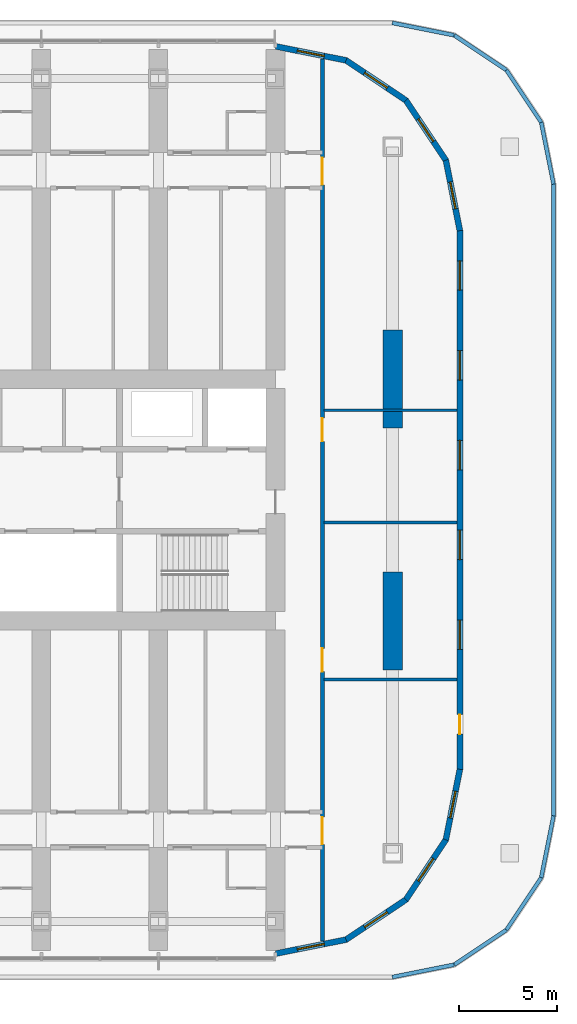
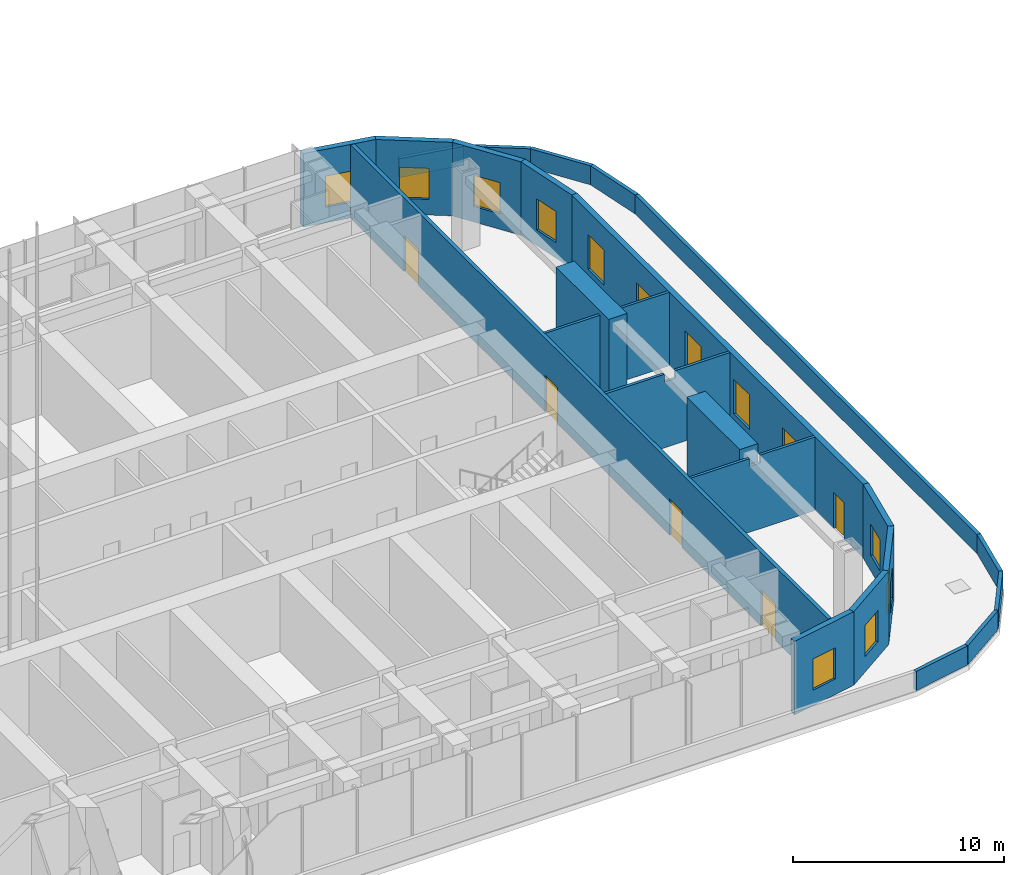
# One storey, part 16 of 31: 24 walls, 13 windows, 5 doors, 18 openings.
"""IFC4 building model written with IfcOpenShell, lengths in metres."""

from ifc_helpers import new_model, si_unit, direction, frame, frame_2d, origin, place, context, subcontext, project, spatial, polyline, rectangle, outline, extrude, material, layer, layer_set, type_object, element, fill, save


model = new_model("IFC4")

# Units and contexts
model_context = context("Model", 3, precision=1e-05, world=origin(), true_north=direction((0.0, 1.0)))
body_context = subcontext(model_context, "Body", "Model", "MODEL_VIEW")
ifc_project = project(units=[si_unit("LENGTHUNIT", "METRE"), si_unit("AREAUNIT", "SQUARE_METRE"), si_unit("VOLUMEUNIT", "CUBIC_METRE"), si_unit("PLANEANGLEUNIT", "RADIAN"), si_unit("MASSUNIT", "GRAM", prefix="KILO")], contexts=[model_context])

# Site, building, storey
site_placement = place(None, origin())
site = spatial("IfcSite", under=ifc_project, at=site_placement, CompositionType="ELEMENT")
building_placement = place(site_placement, origin())
building = spatial("IfcBuilding", under=site, at=building_placement, Name="Orbita Commons", CompositionType="ELEMENT")
storey_placement = place(building_placement, frame((0.0, 0.0, 76.14990234375)))
storey = spatial("IfcBuildingStorey", under=building, at=storey_placement, Name="L18", CompositionType="ELEMENT", Elevation=76.14990234375)

# Wall, openings, doors
ifc_material_1 = material(Name="Concrete blockwork", Category="masonry")
ifc_layer_1 = layer(ifc_material_1, 0.199951171875)
ifc_layer_set_1 = layer_set([ifc_layer_1], Name="Concrete blockwork")
wall_type_1 = type_object("IfcWallType", Name="Corridor wall 200 blockwork", PredefinedType="SOLIDWALL", material=ifc_layer_set_1)
wall_1_placement = place(storey_placement, frame((68.39990234375, 9.4052734375, 0.0), z_axis=(0.0, 0.0, 1.0), x_axis=(0.0, 1.0, 0.0)))
wall_1 = element("IfcWall", 1, at=wall_1_placement, inside=storey, type_object=wall_type_1, Name="Corridor wall 200 blockwork L18", PredefinedType="SOLIDWALL", context=body_context, shape_type="SweptSolid", body=[
    extrude(rectangle(XDim=45.189453125, YDim=0.199951171875, at=frame_2d((22.5947265625, 0.0))), origin(), (0.0, 0.0, 1.0), 4.25),
])
opening_1_placement = place(wall_1_placement, frame((13.794677734375, 0.0, 0.0)))
opening_1 = element("IfcOpeningElement", 2, at=opening_1_placement, cuts=wall_1, Name="Opening D15", PredefinedType="OPENING", context=body_context, shape_type="SweptSolid", body=[
    extrude(rectangle(XDim=1.199951171875, YDim=2.10009765625, at=frame_2d((0.60009765625, 1.050048828125))), frame((0.0, 0.10986328125, 0.0), z_axis=(0.0, -1.0, 0.0), x_axis=(1.0, 0.0, 0.0)), (0.0, 0.0, 1.0), 0.219970703125),
])
opening_2_placement = place(wall_1_placement, frame((25.5947265625, 0.0, 0.0)))
opening_2 = element("IfcOpeningElement", 3, at=opening_2_placement, cuts=wall_1, Name="Opening D15", PredefinedType="OPENING", context=body_context, shape_type="SweptSolid", body=[
    extrude(rectangle(XDim=1.199951171875, YDim=2.10009765625, at=frame_2d((0.60009765625, 1.050048828125))), frame((0.0, 0.10986328125, 0.0), z_axis=(0.0, -1.0, 0.0), x_axis=(1.0, 0.0, 0.0)), (0.0, 0.0, 1.0), 0.219970703125),
])
opening_3_placement = place(wall_1_placement, frame((4.94482421875, 0.0, 0.0)))
opening_3 = element("IfcOpeningElement", 4, at=opening_3_placement, cuts=wall_1, Name="Opening D08", PredefinedType="OPENING", context=body_context, shape_type="SweptSolid", body=[
    extrude(rectangle(XDim=1.39990234375, YDim=2.10009765625, at=frame_2d((0.699951171875, 1.050048828125))), frame((0.0, 0.10986328125, 0.0), z_axis=(0.0, -1.0, 0.0), x_axis=(1.0, 0.0, 0.0)), (0.0, 0.0, 1.0), 0.219970703125),
])
opening_4_placement = place(wall_1_placement, frame((38.74462890625, 0.0, 0.0)))
opening_4 = element("IfcOpeningElement", 5, at=opening_4_placement, cuts=wall_1, Name="Opening D08", PredefinedType="OPENING", context=body_context, shape_type="SweptSolid", body=[
    extrude(rectangle(XDim=1.39990234375, YDim=2.10009765625, at=frame_2d((0.699951171875, 1.050048828125))), frame((0.0, 0.10986328125, 0.0), z_axis=(0.0, -1.0, 0.0), x_axis=(1.0, 0.0, 0.0)), (0.0, 0.0, 1.0), 0.219970703125),
])
ifc_material_2 = material(Name="Steel-faced fire door leaf", Category="steel")
door_type_1 = type_object("IfcDoorType", Name="Corridor door 20 min 1200x2100", OperationType="SINGLE_SWING_LEFT", PredefinedType="DOOR", material=ifc_material_2)
door_1_placement = place(opening_1_placement, origin())
door_1 = element("IfcDoor", 6, at=door_1_placement, inside=storey, type_object=door_type_1, Name="Study hall door", OperationType="SINGLE_SWING_LEFT", OverallHeight=2.10009765625, OverallWidth=1.199951171875, PredefinedType="DOOR", context=body_context, shape_type="SweptSolid", body=[
    extrude(rectangle(XDim=1.199951171875, YDim=2.10009765625, at=frame_2d((0.60009765625, 1.050048828125))), frame((0.0, 0.02490234375, 0.0), z_axis=(0.0, -1.0, 0.0), x_axis=(1.0, 0.0, 0.0)), (0.0, 0.0, 1.0), 0.050048828125),
])
fill(opening_1, door_1)
door_2_placement = place(opening_2_placement, origin())
door_2 = element("IfcDoor", 7, at=door_2_placement, inside=storey, type_object=door_type_1, Name="Study hall door", OperationType="SINGLE_SWING_LEFT", OverallHeight=2.10009765625, OverallWidth=1.199951171875, PredefinedType="DOOR", context=body_context, shape_type="SweptSolid", body=[
    extrude(rectangle(XDim=1.199951171875, YDim=2.10009765625, at=frame_2d((0.60009765625, 1.050048828125))), frame((0.0, 0.02490234375, 0.0), z_axis=(0.0, -1.0, 0.0), x_axis=(1.0, 0.0, 0.0)), (0.0, 0.0, 1.0), 0.050048828125),
])
fill(opening_2, door_2)
ifc_material_3 = material(Name="Steel-faced fire door leaf", Category="steel")
door_type_2 = type_object("IfcDoorType", Name="Double corridor door 20 min 1400x2100", OperationType="DOUBLE_DOOR_SINGLE_SWING", PredefinedType="DOOR", material=ifc_material_3)
door_3_placement = place(opening_3_placement, origin())
door_3 = element("IfcDoor", 8, at=door_3_placement, inside=storey, type_object=door_type_2, Name="Lounge doors", OperationType="DOUBLE_DOOR_SINGLE_SWING", OverallHeight=2.10009765625, OverallWidth=1.39990234375, PredefinedType="DOOR", context=body_context, shape_type="SweptSolid", body=[
    extrude(rectangle(XDim=1.39990234375, YDim=2.10009765625, at=frame_2d((0.699951171875, 1.050048828125))), frame((0.0, 0.02490234375, 0.0), z_axis=(0.0, -1.0, 0.0), x_axis=(1.0, 0.0, 0.0)), (0.0, 0.0, 1.0), 0.050048828125),
])
fill(opening_3, door_3)
door_4_placement = place(opening_4_placement, origin())
door_4 = element("IfcDoor", 9, at=door_4_placement, inside=storey, type_object=door_type_2, Name="Lounge doors", OperationType="DOUBLE_DOOR_SINGLE_SWING", OverallHeight=2.10009765625, OverallWidth=1.39990234375, PredefinedType="DOOR", context=body_context, shape_type="SweptSolid", body=[
    extrude(rectangle(XDim=1.39990234375, YDim=2.10009765625, at=frame_2d((0.699951171875, 1.050048828125))), frame((0.0, 0.02490234375, 0.0), z_axis=(0.0, -1.0, 0.0), x_axis=(1.0, 0.0, 0.0)), (0.0, 0.0, 1.0), 0.050048828125),
])
fill(opening_4, door_4)

# Walls
ifc_material_4 = material(Name="Concrete C50/60", Category="concrete")
ifc_layer_2 = layer(ifc_material_4, 1.0)
ifc_layer_set_2 = layer_set([ifc_layer_2], Name="Concrete C50/60")
wall_type_2 = type_object("IfcWallType", Name="End pier 1000x5000 C50/60", PredefinedType="SHEAR", material=ifc_layer_set_2)
for number, where, z_axis, x_axis, name in (
    (10, (72.0, 23.300048828125, 0.0), (0.0, 0.0, 1.0), (0.0, 1.0, 0.0), "End pier 13/C L18"),
    (11, (72.0, 35.699951171875, 0.0), (0.0, 0.0, 1.0), (0.0, 1.0, 0.0), "End pier 13/D L18"),
):
    element("IfcWall", number, at=place(storey_placement, frame(where, z_axis=z_axis, x_axis=x_axis)), inside=storey, type_object=wall_type_2, Name=name, PredefinedType="SHEAR", context=body_context, shape_type="SweptSolid", body=[
        extrude(rectangle(XDim=5.0, YDim=1.0, at=frame_2d((2.5, 0.0))), origin(), (0.0, 0.0, 1.0), 4.5),
    ])
ifc_material_5 = material(Name="Gypsum plasterboard on steel studs", Category="steel")
ifc_layer_3 = layer(ifc_material_5, 0.14990234375)
ifc_layer_set_3 = layer_set([ifc_layer_3], Name="Gypsum plasterboard on steel studs")
wall_type_3 = type_object("IfcWallType", Name="Partition 150 plasterboard", PredefinedType="PARTITIONING", material=ifc_layer_set_3)
for number, where, z_axis, x_axis, name in (
    (12, (68.47509765625, 30.85009765625, 0.0), (0.0, 0.0, 1.0), (1.0, 0.0, 0.0), "Partition 150 plasterboard L18"),
    (13, (68.47509765625, 22.800048828125, 0.0), (0.0, 0.0, 1.0), (1.0, 0.0, 0.0), "Partition 150 plasterboard L18"),
):
    element("IfcWall", number, at=place(storey_placement, frame(where, z_axis=z_axis, x_axis=x_axis)), inside=storey, type_object=wall_type_3, Name=name, PredefinedType="PARTITIONING", context=body_context, shape_type="SweptSolid", body=[
        extrude(outline(polyline([(0.0, 0.0), (6.81982421875, 0.0), (6.820068359375, 4.25), (3.826904296875, 4.25), (3.824951171875, 3.800048828125), (3.22705078125, 3.800048828125), (3.22509765625, 4.25), (0.0, 4.25), (0.0, 0.0)])), frame((0.0, 0.074951171875, 0.0), z_axis=(0.0, -1.0, 0.0), x_axis=(1.0, 0.0, 0.0)), (0.0, 0.0, 1.0), 0.14990234375),
    ])
wall_2_placement = place(storey_placement, frame((68.47509765625, 36.60009765625, 0.0), z_axis=(0.0, 0.0, 1.0), x_axis=(1.0, 0.0, 0.0)))
element("IfcWall", 14, at=wall_2_placement, inside=storey, type_object=wall_type_3, Name="Partition 150 plasterboard L18", PredefinedType="PARTITIONING", context=body_context, shape_type="SweptSolid", body=[
    extrude(rectangle(XDim=6.81982421875, YDim=0.14990234375, at=frame_2d((3.409912109375, 0.0))), origin(), (0.0, 0.0, 1.0), 4.25),
])

# Wall, openings, windows, door
ifc_material_6 = material(Name="Precast concrete C40/50, white board-marked finish", Category="concrete")
ifc_layer_4 = layer(ifc_material_6, 0.300048828125)
ifc_layer_set_4 = layer_set([ifc_layer_4], Name="Precast concrete C40/50, white board-marked finish")
wall_type_4 = type_object("IfcWallType", Name="Precast concrete end shield 300", PredefinedType="SOLIDWALL", material=ifc_layer_set_4)
wall_3_placement = place(storey_placement, frame((75.449951171875, 18.199951171875, 0.0), z_axis=(0.0, 0.0, 1.0), x_axis=(0.0, 1.0, 0.0)))
wall_3 = element("IfcWall", 15, at=wall_3_placement, inside=storey, type_object=wall_type_4, Name="End shield E L18", PredefinedType="SOLIDWALL", context=body_context, shape_type="SweptSolid", body=[
    extrude(outline(polyline([(-0.014892578125, -0.14990234375), (27.614990234375, -0.14990234375), (27.585205078125, 0.14990234375), (0.014892578125, 0.14990234375), (-0.014892578125, -0.14990234375)])), origin(), (0.0, 0.0, 1.0), 4.25),
])
opening_5_placement = place(wall_3_placement, frame((1.800048828125, 0.0, 0.0)))
opening_5 = element("IfcOpeningElement", 16, at=opening_5_placement, cuts=wall_3, Name="Opening DR1", PredefinedType="OPENING", context=body_context, shape_type="SweptSolid", body=[
    extrude(rectangle(XDim=1.0, YDim=2.10009765625, at=frame_2d((0.5, 1.050048828125))), frame((0.0, 0.159912109375, 0.0), z_axis=(0.0, -1.0, 0.0), x_axis=(1.0, 0.0, 0.0)), (0.0, 0.0, 1.0), 0.320068359375),
])
opening_6_placement = place(wall_3_placement, frame((6.14990234375, 0.0, 0.89990234375)))
opening_6 = element("IfcOpeningElement", 17, at=opening_6_placement, cuts=wall_3, Name="Opening W01", PredefinedType="OPENING", context=body_context, shape_type="SweptSolid", body=[
    extrude(rectangle(XDim=1.5, YDim=2.0, at=frame_2d((0.75, 1.0))), frame((0.0, 0.159912109375, 0.0), z_axis=(0.0, -1.0, 0.0), x_axis=(1.0, 0.0, 0.0)), (0.0, 0.0, 1.0), 0.320068359375),
])
opening_7_placement = place(wall_3_placement, frame((10.75, 0.0, 0.89990234375)))
opening_7 = element("IfcOpeningElement", 18, at=opening_7_placement, cuts=wall_3, Name="Opening W01", PredefinedType="OPENING", context=body_context, shape_type="SweptSolid", body=[
    extrude(rectangle(XDim=1.5, YDim=2.0, at=frame_2d((0.75, 1.0))), frame((0.0, 0.159912109375, 0.0), z_axis=(0.0, -1.0, 0.0), x_axis=(1.0, 0.0, 0.0)), (0.0, 0.0, 1.0), 0.320068359375),
])
opening_8_placement = place(wall_3_placement, frame((15.35009765625, 0.0, 0.89990234375)))
opening_8 = element("IfcOpeningElement", 19, at=opening_8_placement, cuts=wall_3, Name="Opening W01", PredefinedType="OPENING", context=body_context, shape_type="SweptSolid", body=[
    extrude(rectangle(XDim=1.5, YDim=2.0, at=frame_2d((0.75, 1.0))), frame((0.0, 0.159912109375, 0.0), z_axis=(0.0, -1.0, 0.0), x_axis=(1.0, 0.0, 0.0)), (0.0, 0.0, 1.0), 0.320068359375),
])
opening_9_placement = place(wall_3_placement, frame((19.949951171875, 0.0, 0.89990234375)))
opening_9 = element("IfcOpeningElement", 20, at=opening_9_placement, cuts=wall_3, Name="Opening W01", PredefinedType="OPENING", context=body_context, shape_type="SweptSolid", body=[
    extrude(rectangle(XDim=1.5, YDim=2.0, at=frame_2d((0.75, 1.0))), frame((0.0, 0.159912109375, 0.0), z_axis=(0.0, -1.0, 0.0), x_axis=(1.0, 0.0, 0.0)), (0.0, 0.0, 1.0), 0.320068359375),
])
opening_10_placement = place(wall_3_placement, frame((24.550048828125, 0.0, 0.89990234375)))
opening_10 = element("IfcOpeningElement", 21, at=opening_10_placement, cuts=wall_3, Name="Opening W01", PredefinedType="OPENING", context=body_context, shape_type="SweptSolid", body=[
    extrude(rectangle(XDim=1.5, YDim=2.0, at=frame_2d((0.75, 1.0))), frame((0.0, 0.159912109375, 0.0), z_axis=(0.0, -1.0, 0.0), x_axis=(1.0, 0.0, 0.0)), (0.0, 0.0, 1.0), 0.320068359375),
])
ifc_material_7 = material(Name="Aluminium frame, clear double glazing", Category="aluminium")
window_type_1 = type_object("IfcWindowType", Name="Deep-set window 1500x2000", PartitioningType="SINGLE_PANEL", PredefinedType="WINDOW", material=ifc_material_7)
window_1_placement = place(opening_6_placement, origin())
window_1 = element("IfcWindow", 22, at=window_1_placement, inside=storey, type_object=window_type_1, Name="Window L18-E 2", OverallHeight=2.0, OverallWidth=1.5, PartitioningType="SINGLE_PANEL", PredefinedType="WINDOW", context=body_context, shape_type="SweptSolid", body=[
    extrude(rectangle(XDim=1.5, YDim=2.0, at=frame_2d((0.75, 1.0))), frame((0.0, 0.030029296875, 0.0), z_axis=(0.0, -1.0, 0.0), x_axis=(1.0, 0.0, 0.0)), (0.0, 0.0, 1.0), 0.06005859375),
])
fill(opening_6, window_1)
window_2_placement = place(opening_7_placement, origin())
window_2 = element("IfcWindow", 23, at=window_2_placement, inside=storey, type_object=window_type_1, Name="Window L18-E 3", OverallHeight=2.0, OverallWidth=1.5, PartitioningType="SINGLE_PANEL", PredefinedType="WINDOW", context=body_context, shape_type="SweptSolid", body=[
    extrude(rectangle(XDim=1.5, YDim=2.0, at=frame_2d((0.75, 1.0))), frame((0.0, 0.030029296875, 0.0), z_axis=(0.0, -1.0, 0.0), x_axis=(1.0, 0.0, 0.0)), (0.0, 0.0, 1.0), 0.06005859375),
])
fill(opening_7, window_2)
window_3_placement = place(opening_8_placement, origin())
window_3 = element("IfcWindow", 24, at=window_3_placement, inside=storey, type_object=window_type_1, Name="Window L18-E 4", OverallHeight=2.0, OverallWidth=1.5, PartitioningType="SINGLE_PANEL", PredefinedType="WINDOW", context=body_context, shape_type="SweptSolid", body=[
    extrude(rectangle(XDim=1.5, YDim=2.0, at=frame_2d((0.75, 1.0))), frame((0.0, 0.030029296875, 0.0), z_axis=(0.0, -1.0, 0.0), x_axis=(1.0, 0.0, 0.0)), (0.0, 0.0, 1.0), 0.06005859375),
])
fill(opening_8, window_3)
window_4_placement = place(opening_9_placement, origin())
window_4 = element("IfcWindow", 25, at=window_4_placement, inside=storey, type_object=window_type_1, Name="Window L18-E 5", OverallHeight=2.0, OverallWidth=1.5, PartitioningType="SINGLE_PANEL", PredefinedType="WINDOW", context=body_context, shape_type="SweptSolid", body=[
    extrude(rectangle(XDim=1.5, YDim=2.0, at=frame_2d((0.75, 1.0))), frame((0.0, 0.030029296875, 0.0), z_axis=(0.0, -1.0, 0.0), x_axis=(1.0, 0.0, 0.0)), (0.0, 0.0, 1.0), 0.06005859375),
])
fill(opening_9, window_4)
window_5_placement = place(opening_10_placement, origin())
window_5 = element("IfcWindow", 26, at=window_5_placement, inside=storey, type_object=window_type_1, Name="Window L18-E 6", OverallHeight=2.0, OverallWidth=1.5, PartitioningType="SINGLE_PANEL", PredefinedType="WINDOW", context=body_context, shape_type="SweptSolid", body=[
    extrude(rectangle(XDim=1.5, YDim=2.0, at=frame_2d((0.75, 1.0))), frame((0.0, 0.030029296875, 0.0), z_axis=(0.0, -1.0, 0.0), x_axis=(1.0, 0.0, 0.0)), (0.0, 0.0, 1.0), 0.06005859375),
])
fill(opening_10, window_5)
ifc_material_8 = material(Name="Aluminium frame, insulated solid panel", Category="aluminium")
door_type_3 = type_object("IfcDoorType", Name="Roof access door 1000x2100", OperationType="SINGLE_SWING_LEFT", PredefinedType="DOOR", material=ifc_material_8)
door_5_placement = place(opening_5_placement, origin())
door_5 = element("IfcDoor", 27, at=door_5_placement, inside=storey, type_object=door_type_3, Name="Maintenance roof access door L18-E", OperationType="SINGLE_SWING_LEFT", OverallHeight=2.10009765625, OverallWidth=1.0, PredefinedType="DOOR", context=body_context, shape_type="SweptSolid", body=[
    extrude(rectangle(XDim=1.0, YDim=2.10009765625, at=frame_2d((0.5, 1.050048828125))), frame((0.0, 0.02490234375, 0.0), z_axis=(0.0, -1.0, 0.0), x_axis=(1.0, 0.0, 0.0)), (0.0, 0.0, 1.0), 0.050048828125),
])
fill(opening_5, door_5)

# Wall, opening, window
wall_4_placement = place(storey_placement, frame((66.0, 8.75, 0.0), z_axis=(0.0, 0.0, 1.0), x_axis=(0.980791473772, 0.195059183267, 0.0)))
wall_4 = element("IfcWall", 28, at=wall_4_placement, inside=storey, type_object=wall_type_4, Name="End shield SE chord 1 L18", PredefinedType="SOLIDWALL", context=body_context, shape_type="SweptSolid", body=[
    extrude(outline(polyline([(-0.02978515625, -0.14990234375), (3.717041015625, -0.14990234375), (3.657470703125, 0.14990234375), (0.02978515625, 0.14990234375), (-0.02978515625, -0.14990234375)])), origin(), (0.0, 0.0, 1.0), 4.25),
])
opening_11_placement = place(wall_4_placement, frame((1.1435546875, 0.0, 0.89990234375)))
opening_11 = element("IfcOpeningElement", 29, at=opening_11_placement, cuts=wall_4, Name="Opening W02", PredefinedType="OPENING", context=body_context, shape_type="SweptSolid", body=[
    extrude(rectangle(XDim=1.39990234375, YDim=1.800048828125, at=frame_2d((0.699951171875, 0.89990234375))), frame((0.0, 0.159912109375, 0.0), z_axis=(0.0, -1.0, 0.0), x_axis=(1.0, 0.0, 0.0)), (0.0, 0.0, 1.0), 0.320068359375),
])
ifc_material_9 = material(Name="Aluminium frame, clear double glazing", Category="aluminium")
window_type_2 = type_object("IfcWindowType", Name="Deep-set window 1400x1800", PartitioningType="SINGLE_PANEL", PredefinedType="WINDOW", material=ifc_material_9)
window_6_placement = place(opening_11_placement, origin())
window_6 = element("IfcWindow", 30, at=window_6_placement, inside=storey, type_object=window_type_2, Name="Window L18-SE0", OverallHeight=1.800048828125, OverallWidth=1.39990234375, PartitioningType="SINGLE_PANEL", PredefinedType="WINDOW", context=body_context, shape_type="SweptSolid", body=[
    extrude(rectangle(XDim=1.39990234375, YDim=1.800048828125, at=frame_2d((0.699951171875, 0.89990234375))), frame((0.0, 0.030029296875, 0.0), z_axis=(0.0, -1.0, 0.0), x_axis=(1.0, 0.0, 0.0)), (0.0, 0.0, 1.0), 0.06005859375),
])
fill(opening_11, window_6)

wall_5_placement = place(storey_placement, frame((69.616455078125, 9.46923828125, 0.0), z_axis=(0.0, 0.0, 1.0), x_axis=(0.831448786846, 0.555601399253, 0.0)))
wall_5 = element("IfcWall", 31, at=wall_5_placement, inside=storey, type_object=wall_type_4, Name="End shield SE chord 2 L18", PredefinedType="SOLIDWALL", context=body_context, shape_type="SweptSolid", body=[
    extrude(outline(polyline([(-0.02978515625, -0.14990234375), (3.717041015625, -0.14990234375), (3.657470703125, 0.14990234375), (0.02978515625, 0.14990234375), (-0.02978515625, -0.14990234375)])), origin(), (0.0, 0.0, 1.0), 4.25),
])
opening_12_placement = place(wall_5_placement, frame((1.1435546875, 0.0, 0.89990234375)))
opening_12 = element("IfcOpeningElement", 32, at=opening_12_placement, cuts=wall_5, Name="Opening W02", PredefinedType="OPENING", context=body_context, shape_type="SweptSolid", body=[
    extrude(rectangle(XDim=1.39990234375, YDim=1.800048828125, at=frame_2d((0.699951171875, 0.89990234375))), frame((0.0, 0.159912109375, 0.0), z_axis=(0.0, -1.0, 0.0), x_axis=(1.0, 0.0, 0.0)), (0.0, 0.0, 1.0), 0.320068359375),
])
window_7_placement = place(opening_12_placement, origin())
window_7 = element("IfcWindow", 33, at=window_7_placement, inside=storey, type_object=window_type_2, Name="Window L18-SE1", OverallHeight=1.800048828125, OverallWidth=1.39990234375, PartitioningType="SINGLE_PANEL", PredefinedType="WINDOW", context=body_context, shape_type="SweptSolid", body=[
    extrude(rectangle(XDim=1.39990234375, YDim=1.800048828125, at=frame_2d((0.699951171875, 0.89990234375))), frame((0.0, 0.030029296875, 0.0), z_axis=(0.0, -1.0, 0.0), x_axis=(1.0, 0.0, 0.0)), (0.0, 0.0, 1.0), 0.06005859375),
])
fill(opening_12, window_7)

wall_6_placement = place(storey_placement, frame((72.68212890625, 11.517822265625, 0.0), z_axis=(0.0, 0.0, 1.0), x_axis=(0.555601399253, 0.831448786846, 0.0)))
wall_6 = element("IfcWall", 34, at=wall_6_placement, inside=storey, type_object=wall_type_4, Name="End shield SE chord 3 L18", PredefinedType="SOLIDWALL", context=body_context, shape_type="SweptSolid", body=[
    extrude(outline(polyline([(-0.02978515625, -0.14990234375), (3.717041015625, -0.14990234375), (3.657470703125, 0.14990234375), (0.02978515625, 0.14990234375), (-0.02978515625, -0.14990234375)])), origin(), (0.0, 0.0, 1.0), 4.25),
])
opening_13_placement = place(wall_6_placement, frame((1.1435546875, 0.0, 0.89990234375)))
opening_13 = element("IfcOpeningElement", 35, at=opening_13_placement, cuts=wall_6, Name="Opening W02", PredefinedType="OPENING", context=body_context, shape_type="SweptSolid", body=[
    extrude(rectangle(XDim=1.39990234375, YDim=1.800048828125, at=frame_2d((0.699951171875, 0.89990234375))), frame((0.0, 0.159912109375, 0.0), z_axis=(0.0, -1.0, 0.0), x_axis=(1.0, 0.0, 0.0)), (0.0, 0.0, 1.0), 0.320068359375),
])
window_8_placement = place(opening_13_placement, origin())
window_8 = element("IfcWindow", 36, at=window_8_placement, inside=storey, type_object=window_type_2, Name="Window L18-SE2", OverallHeight=1.800048828125, OverallWidth=1.39990234375, PartitioningType="SINGLE_PANEL", PredefinedType="WINDOW", context=body_context, shape_type="SweptSolid", body=[
    extrude(rectangle(XDim=1.39990234375, YDim=1.800048828125, at=frame_2d((0.699951171875, 0.89990234375))), frame((0.0, 0.030029296875, 0.0), z_axis=(0.0, -1.0, 0.0), x_axis=(1.0, 0.0, 0.0)), (0.0, 0.0, 1.0), 0.06005859375),
])
fill(opening_13, window_8)

wall_7_placement = place(storey_placement, frame((74.730712890625, 14.58349609375, 0.0), z_axis=(0.0, 0.0, 1.0), x_axis=(0.195059183267, 0.980791473772, 0.0)))
wall_7 = element("IfcWall", 37, at=wall_7_placement, inside=storey, type_object=wall_type_4, Name="End shield SE chord 4 L18", PredefinedType="SOLIDWALL", context=body_context, shape_type="SweptSolid", body=[
    extrude(outline(polyline([(-0.02978515625, -0.14990234375), (3.7021484375, -0.14990234375), (3.67236328125, 0.14990234375), (0.02978515625, 0.14990234375), (-0.02978515625, -0.14990234375)])), origin(), (0.0, 0.0, 1.0), 4.25),
])
opening_14_placement = place(wall_7_placement, frame((1.1435546875, 0.0, 0.89990234375)))
opening_14 = element("IfcOpeningElement", 38, at=opening_14_placement, cuts=wall_7, Name="Opening W02", PredefinedType="OPENING", context=body_context, shape_type="SweptSolid", body=[
    extrude(rectangle(XDim=1.39990234375, YDim=1.800048828125, at=frame_2d((0.699951171875, 0.89990234375))), frame((0.0, 0.159912109375, 0.0), z_axis=(0.0, -1.0, 0.0), x_axis=(1.0, 0.0, 0.0)), (0.0, 0.0, 1.0), 0.320068359375),
])
window_9_placement = place(opening_14_placement, origin())
window_9 = element("IfcWindow", 39, at=window_9_placement, inside=storey, type_object=window_type_2, Name="Window L18-SE3", OverallHeight=1.800048828125, OverallWidth=1.39990234375, PartitioningType="SINGLE_PANEL", PredefinedType="WINDOW", context=body_context, shape_type="SweptSolid", body=[
    extrude(rectangle(XDim=1.39990234375, YDim=1.800048828125, at=frame_2d((0.699951171875, 0.89990234375))), frame((0.0, 0.030029296875, 0.0), z_axis=(0.0, -1.0, 0.0), x_axis=(1.0, 0.0, 0.0)), (0.0, 0.0, 1.0), 0.06005859375),
])
fill(opening_14, window_9)

wall_8_placement = place(storey_placement, frame((75.449951171875, 45.800048828125, 0.0), z_axis=(0.0, 0.0, 1.0), x_axis=(-0.195059183267, 0.980791473772, 0.0)))
wall_8 = element("IfcWall", 40, at=wall_8_placement, inside=storey, type_object=wall_type_4, Name="End shield NE chord 1 L18", PredefinedType="SOLIDWALL", context=body_context, shape_type="SweptSolid", body=[
    extrude(outline(polyline([(-0.014892578125, -0.14990234375), (3.717041015625, -0.14990234375), (3.657470703125, 0.14990234375), (0.014892578125, 0.14990234375), (-0.014892578125, -0.14990234375)])), origin(), (0.0, 0.0, 1.0), 4.25),
])
opening_15_placement = place(wall_8_placement, frame((1.1435546875, 0.0, 0.89990234375)))
opening_15 = element("IfcOpeningElement", 41, at=opening_15_placement, cuts=wall_8, Name="Opening W02", PredefinedType="OPENING", context=body_context, shape_type="SweptSolid", body=[
    extrude(rectangle(XDim=1.39990234375, YDim=1.800048828125, at=frame_2d((0.699951171875, 0.89990234375))), frame((0.0, 0.159912109375, 0.0), z_axis=(0.0, -1.0, 0.0), x_axis=(1.0, 0.0, 0.0)), (0.0, 0.0, 1.0), 0.320068359375),
])
window_10_placement = place(opening_15_placement, origin())
window_10 = element("IfcWindow", 42, at=window_10_placement, inside=storey, type_object=window_type_2, Name="Window L18-NE0", OverallHeight=1.800048828125, OverallWidth=1.39990234375, PartitioningType="SINGLE_PANEL", PredefinedType="WINDOW", context=body_context, shape_type="SweptSolid", body=[
    extrude(rectangle(XDim=1.39990234375, YDim=1.800048828125, at=frame_2d((0.699951171875, 0.89990234375))), frame((0.0, 0.030029296875, 0.0), z_axis=(0.0, -1.0, 0.0), x_axis=(1.0, 0.0, 0.0)), (0.0, 0.0, 1.0), 0.06005859375),
])
fill(opening_15, window_10)

wall_9_placement = place(storey_placement, frame((74.730712890625, 49.41650390625, 0.0), z_axis=(0.0, 0.0, 1.0), x_axis=(-0.555601399253, 0.831448786846, 0.0)))
wall_9 = element("IfcWall", 43, at=wall_9_placement, inside=storey, type_object=wall_type_4, Name="End shield NE chord 2 L18", PredefinedType="SOLIDWALL", context=body_context, shape_type="SweptSolid", body=[
    extrude(outline(polyline([(-0.02978515625, -0.14990234375), (3.717041015625, -0.14990234375), (3.657470703125, 0.14990234375), (0.02978515625, 0.14990234375), (-0.02978515625, -0.14990234375)])), origin(), (0.0, 0.0, 1.0), 4.25),
])
opening_16_placement = place(wall_9_placement, frame((1.1435546875, 0.0, 0.89990234375)))
opening_16 = element("IfcOpeningElement", 44, at=opening_16_placement, cuts=wall_9, Name="Opening W02", PredefinedType="OPENING", context=body_context, shape_type="SweptSolid", body=[
    extrude(rectangle(XDim=1.39990234375, YDim=1.800048828125, at=frame_2d((0.699951171875, 0.89990234375))), frame((0.0, 0.159912109375, 0.0), z_axis=(0.0, -1.0, 0.0), x_axis=(1.0, 0.0, 0.0)), (0.0, 0.0, 1.0), 0.320068359375),
])
window_11_placement = place(opening_16_placement, origin())
window_11 = element("IfcWindow", 45, at=window_11_placement, inside=storey, type_object=window_type_2, Name="Window L18-NE1", OverallHeight=1.800048828125, OverallWidth=1.39990234375, PartitioningType="SINGLE_PANEL", PredefinedType="WINDOW", context=body_context, shape_type="SweptSolid", body=[
    extrude(rectangle(XDim=1.39990234375, YDim=1.800048828125, at=frame_2d((0.699951171875, 0.89990234375))), frame((0.0, 0.030029296875, 0.0), z_axis=(0.0, -1.0, 0.0), x_axis=(1.0, 0.0, 0.0)), (0.0, 0.0, 1.0), 0.06005859375),
])
fill(opening_16, window_11)

wall_10_placement = place(storey_placement, frame((72.68212890625, 52.482177734375, 0.0), z_axis=(0.0, 0.0, 1.0), x_axis=(-0.831448786846, 0.555601399253, 0.0)))
wall_10 = element("IfcWall", 46, at=wall_10_placement, inside=storey, type_object=wall_type_4, Name="End shield NE chord 3 L18", PredefinedType="SOLIDWALL", context=body_context, shape_type="SweptSolid", body=[
    extrude(outline(polyline([(-0.02978515625, -0.14990234375), (3.717041015625, -0.14990234375), (3.657470703125, 0.14990234375), (0.02978515625, 0.14990234375), (-0.02978515625, -0.14990234375)])), origin(), (0.0, 0.0, 1.0), 4.25),
])
opening_17_placement = place(wall_10_placement, frame((1.1435546875, 0.0, 0.89990234375)))
opening_17 = element("IfcOpeningElement", 47, at=opening_17_placement, cuts=wall_10, Name="Opening W02", PredefinedType="OPENING", context=body_context, shape_type="SweptSolid", body=[
    extrude(rectangle(XDim=1.39990234375, YDim=1.800048828125, at=frame_2d((0.699951171875, 0.89990234375))), frame((0.0, 0.159912109375, 0.0), z_axis=(0.0, -1.0, 0.0), x_axis=(1.0, 0.0, 0.0)), (0.0, 0.0, 1.0), 0.320068359375),
])
window_12_placement = place(opening_17_placement, origin())
window_12 = element("IfcWindow", 48, at=window_12_placement, inside=storey, type_object=window_type_2, Name="Window L18-NE2", OverallHeight=1.800048828125, OverallWidth=1.39990234375, PartitioningType="SINGLE_PANEL", PredefinedType="WINDOW", context=body_context, shape_type="SweptSolid", body=[
    extrude(rectangle(XDim=1.39990234375, YDim=1.800048828125, at=frame_2d((0.699951171875, 0.89990234375))), frame((0.0, 0.030029296875, 0.0), z_axis=(0.0, -1.0, 0.0), x_axis=(1.0, 0.0, 0.0)), (0.0, 0.0, 1.0), 0.06005859375),
])
fill(opening_17, window_12)

wall_11_placement = place(storey_placement, frame((69.616455078125, 54.53076171875, 0.0), z_axis=(0.0, 0.0, 1.0), x_axis=(-0.980791473772, 0.195059183267, 0.0)))
wall_11 = element("IfcWall", 49, at=wall_11_placement, inside=storey, type_object=wall_type_4, Name="End shield NE chord 4 L18", PredefinedType="SOLIDWALL", context=body_context, shape_type="SweptSolid", body=[
    extrude(outline(polyline([(-0.02978515625, -0.14990234375), (3.717041015625, -0.14990234375), (3.657470703125, 0.14990234375), (0.02978515625, 0.14990234375), (-0.02978515625, -0.14990234375)])), origin(), (0.0, 0.0, 1.0), 4.25),
])
opening_18_placement = place(wall_11_placement, frame((1.1435546875, 0.0, 0.89990234375)))
opening_18 = element("IfcOpeningElement", 50, at=opening_18_placement, cuts=wall_11, Name="Opening W02", PredefinedType="OPENING", context=body_context, shape_type="SweptSolid", body=[
    extrude(rectangle(XDim=1.39990234375, YDim=1.800048828125, at=frame_2d((0.699951171875, 0.89990234375))), frame((0.0, 0.159912109375, 0.0), z_axis=(0.0, -1.0, 0.0), x_axis=(1.0, 0.0, 0.0)), (0.0, 0.0, 1.0), 0.320068359375),
])
window_13_placement = place(opening_18_placement, origin())
window_13 = element("IfcWindow", 51, at=window_13_placement, inside=storey, type_object=window_type_2, Name="Window L18-NE3", OverallHeight=1.800048828125, OverallWidth=1.39990234375, PartitioningType="SINGLE_PANEL", PredefinedType="WINDOW", context=body_context, shape_type="SweptSolid", body=[
    extrude(rectangle(XDim=1.39990234375, YDim=1.800048828125, at=frame_2d((0.699951171875, 0.89990234375))), frame((0.0, 0.030029296875, 0.0), z_axis=(0.0, -1.0, 0.0), x_axis=(1.0, 0.0, 0.0)), (0.0, 0.0, 1.0), 0.06005859375),
])
fill(opening_18, window_13)

# Walls
ifc_material_10 = material(Name="Precast concrete C40/50, white board-marked finish", Category="concrete")
ifc_layer_5 = layer(ifc_material_10, 0.199951171875)
ifc_layer_set_5 = layer_set([ifc_layer_5], Name="Precast concrete C40/50, white board-marked finish")
wall_type_5 = type_object("IfcWallType", Name="Precast parapet 200", PredefinedType="PARAPET", material=ifc_layer_set_5)
wall_12_placement = place(storey_placement, frame((71.985107421875, 56.449951171875, 0.0), z_axis=(0.0, 0.0, 1.0), x_axis=(0.980792126237, -0.195055902531, 0.0)))
element("IfcWall", 52, at=wall_12_placement, inside=storey, type_object=wall_type_5, Name="Parapet L18 1.5", PredefinedType="PARAPET", context=body_context, shape_type="SweptSolid", body=[
    extrude(rectangle(XDim=3.23291015625, YDim=0.199951171875, at=frame_2d((1.616455078125, 0.0))), origin(), (0.0, 0.0, 1.0), 1.10009765625),
])
for number, where, z_axis, x_axis, name in (
    (53, (75.156005859375, 55.8193359375, 0.0), (0.0, 0.0, 1.0), (0.831454530953, -0.555592803191, 0.0), "Parapet L18 1.6"),
    (54, (77.83154296875, 54.031494140625, 0.0), (0.0, 0.0, 1.0), (0.555592803191, -0.831454530953, 0.0), "Parapet L18 1.7"),
):
    element("IfcWall", number, at=place(storey_placement, frame(where, z_axis=z_axis, x_axis=x_axis)), inside=storey, type_object=wall_type_5, Name=name, PredefinedType="PARAPET", context=body_context, shape_type="SweptSolid", body=[
        extrude(rectangle(XDim=3.218017578125, YDim=0.199951171875, at=frame_2d((1.60888671875, 0.0))), origin(), (0.0, 0.0, 1.0), 1.10009765625),
    ])
wall_13_placement = place(storey_placement, frame((79.619384765625, 51.35595703125, 0.0), z_axis=(0.0, 0.0, 1.0), x_axis=(0.19507035035, -0.980789252803, 0.0)))
element("IfcWall", 55, at=wall_13_placement, inside=storey, type_object=wall_type_5, Name="Parapet L18 1.8", PredefinedType="PARAPET", context=body_context, shape_type="SweptSolid", body=[
    extrude(rectangle(XDim=3.232666015625, YDim=0.199951171875, at=frame_2d((1.6162109375, 0.0))), origin(), (0.0, 0.0, 1.0), 1.10009765625),
])
wall_14_placement = place(storey_placement, frame((80.25, 48.185302734375, 0.0), z_axis=(0.0, 0.0, 1.0), x_axis=(0.0, -1.0, 0.0)))
element("IfcWall", 56, at=wall_14_placement, inside=storey, type_object=wall_type_5, Name="Parapet L18 1.9", PredefinedType="PARAPET", context=body_context, shape_type="SweptSolid", body=[
    extrude(rectangle(XDim=32.37060546875, YDim=0.199951171875, at=frame_2d((16.185302734375, 0.0))), origin(), (0.0, 0.0, 1.0), 1.10009765625),
])
wall_15_placement = place(storey_placement, frame((80.25, 15.814697265625, 0.0), z_axis=(0.0, 0.0, 1.0), x_axis=(-0.19507035035, -0.980789252803, 0.0)))
element("IfcWall", 57, at=wall_15_placement, inside=storey, type_object=wall_type_5, Name="Parapet L18 1.10", PredefinedType="PARAPET", context=body_context, shape_type="SweptSolid", body=[
    extrude(rectangle(XDim=3.232666015625, YDim=0.199951171875, at=frame_2d((1.6162109375, 0.0))), origin(), (0.0, 0.0, 1.0), 1.10009765625),
])
for number, where, z_axis, x_axis, name in (
    (58, (79.619384765625, 12.64404296875, 0.0), (0.0, 0.0, 1.0), (-0.555592803191, -0.831454530953, 0.0), "Parapet L18 1.11"),
    (59, (77.83154296875, 9.968505859375, 0.0), (0.0, 0.0, 1.0), (-0.831454530953, -0.555592803191, 0.0), "Parapet L18 1.12"),
):
    element("IfcWall", number, at=place(storey_placement, frame(where, z_axis=z_axis, x_axis=x_axis)), inside=storey, type_object=wall_type_5, Name=name, PredefinedType="PARAPET", context=body_context, shape_type="SweptSolid", body=[
        extrude(rectangle(XDim=3.218017578125, YDim=0.199951171875, at=frame_2d((1.60888671875, 0.0))), origin(), (0.0, 0.0, 1.0), 1.10009765625),
    ])
wall_16_placement = place(storey_placement, frame((75.156005859375, 8.1806640625, 0.0), z_axis=(0.0, 0.0, 1.0), x_axis=(-0.980792126237, -0.195055902531, 0.0)))
element("IfcWall", 60, at=wall_16_placement, inside=storey, type_object=wall_type_5, Name="Parapet L18 1.13", PredefinedType="PARAPET", context=body_context, shape_type="SweptSolid", body=[
    extrude(rectangle(XDim=3.23291015625, YDim=0.199951171875, at=frame_2d((1.616455078125, 0.0))), origin(), (0.0, 0.0, 1.0), 1.10009765625),
])

save(model, "model.ifc")
